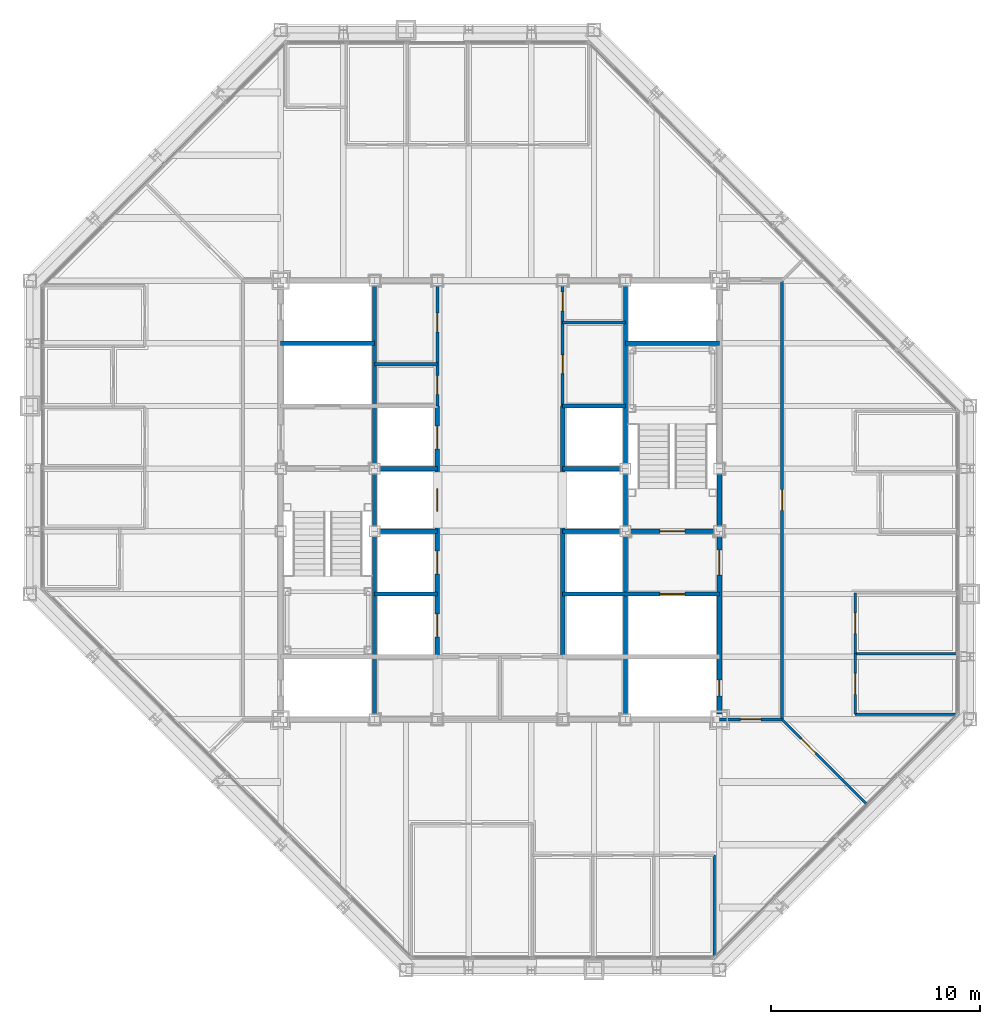
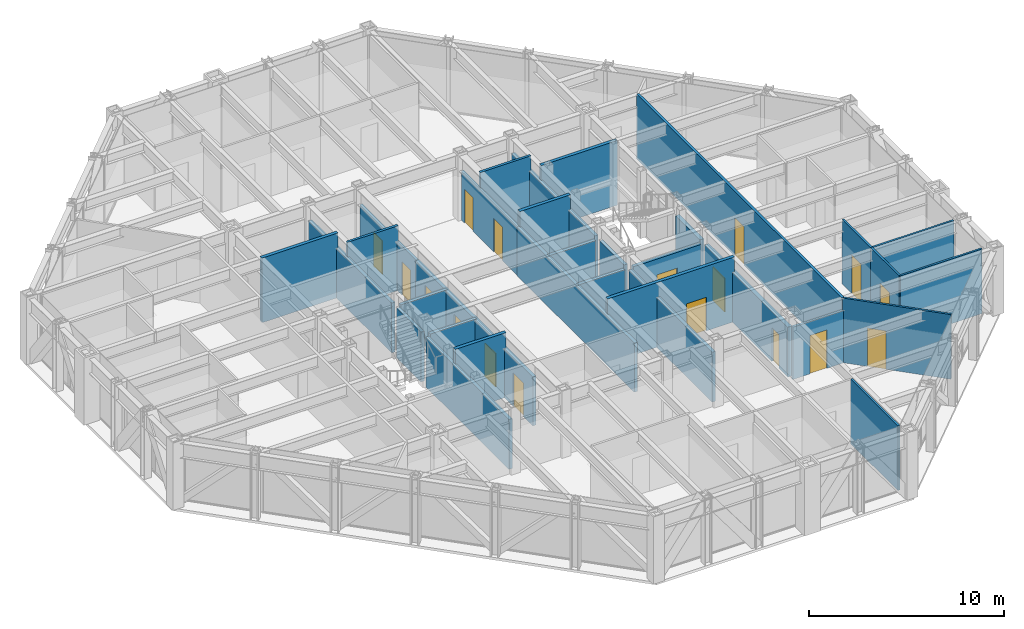
# One storey, part 12 of 16: 32 walls, 17 doors, 17 openings.
"""IFC4 building model written with IfcOpenShell, lengths in metres."""

from ifc_helpers import new_model, si_unit, direction, frame, frame_2d, origin, place, context, subcontext, project, spatial, rectangle, extrude, material, layer, layer_set, type_object, element, fill, save


model = new_model("IFC4")

# Units and contexts
model_context = context("Model", 3, precision=1e-05, world=origin(), true_north=direction((0.0, 1.0)))
body_context = subcontext(model_context, "Body", "Model", "MODEL_VIEW")
ifc_project = project(units=[si_unit("LENGTHUNIT", "METRE"), si_unit("AREAUNIT", "SQUARE_METRE"), si_unit("VOLUMEUNIT", "CUBIC_METRE"), si_unit("PLANEANGLEUNIT", "RADIAN"), si_unit("MASSUNIT", "GRAM", prefix="KILO")], contexts=[model_context])

# Site, building, storey
site_placement = place(None, origin())
site = spatial("IfcSite", under=ifc_project, at=site_placement, CompositionType="ELEMENT")
building_placement = place(site_placement, origin())
building = spatial("IfcBuilding", under=site, at=building_placement, Name="Chuquiago Exchange Tower", CompositionType="ELEMENT")
storey_placement = place(building_placement, frame((0.0, 0.0, 222.300048828125)))
storey = spatial("IfcBuildingStorey", under=building, at=storey_placement, Name="L49", CompositionType="ELEMENT", Elevation=222.300048828125)

# Wall, openings, doors
ifc_material_1 = material(Name="Concrete masonry, fully grouted", Category="masonry")
ifc_layer_1 = layer(ifc_material_1, 0.25)
ifc_layer_set_1 = layer_set([ifc_layer_1], Name="W1 core wall 250")
wall_type_1 = type_object("IfcWallType", Name="W1 core wall 250", PredefinedType="SOLIDWALL", material=ifc_layer_set_1)
wall_1_placement = place(storey_placement, frame((33.0, 12.25, 0.0), z_axis=(0.0, 0.0, 1.0), x_axis=(0.0, 1.0, 0.0)))
wall_1 = element("IfcWall", 1, at=wall_1_placement, inside=storey, type_object=wall_type_1, Name="CW-L49-25-0", PredefinedType="SOLIDWALL", context=body_context, shape_type="SweptSolid", body=[
    extrude(rectangle(XDim=8.5, YDim=0.25, at=frame_2d((4.25, 0.0))), origin(), (0.0, 0.0, 1.0), 3.11279296875),
])
opening_1_placement = place(wall_1_placement, frame((6.64990234375, 0.0, 0.0)))
opening_1 = element("IfcOpeningElement", 2, at=opening_1_placement, cuts=wall_1, Name="Opening L49-004", PredefinedType="OPENING", context=body_context, shape_type="SweptSolid", body=[
    extrude(rectangle(XDim=1.199951171875, YDim=2.10009765625, at=frame_2d((0.60009765625, 1.050048828125))), frame((0.0, 0.135009765625, 0.0), z_axis=(0.0, -1.0, 0.0), x_axis=(1.0, 0.0, 0.0)), (0.0, 0.0, 1.0), 0.27001953125),
])
opening_2_placement = place(wall_1_placement, frame((0.875, 0.0, 0.0)))
opening_2 = element("IfcOpeningElement", 3, at=opening_2_placement, cuts=wall_1, Name="Opening L49-009", PredefinedType="OPENING", context=body_context, shape_type="SweptSolid", body=[
    extrude(rectangle(XDim=0.75, YDim=2.10009765625, at=frame_2d((0.375, 1.050048828125))), frame((0.0, 0.135009765625, 0.0), z_axis=(0.0, -1.0, 0.0), x_axis=(1.0, 0.0, 0.0)), (0.0, 0.0, 1.0), 0.27001953125),
])
ifc_material_2 = material(Name="Steel door, painted", Category="steel")
door_type_1 = type_object("IfcDoorType", Name="D5 firefighting lobby door 1200x2100", OperationType="SINGLE_SWING_LEFT", PredefinedType="DOOR", material=ifc_material_2)
door_1_placement = place(opening_1_placement, origin())
door_1 = element("IfcDoor", 4, at=door_1_placement, inside=storey, type_object=door_type_1, Name="Firefighting lobby 2 door", OperationType="SINGLE_SWING_RIGHT", OverallHeight=2.10009765625, OverallWidth=1.199951171875, PredefinedType="DOOR", context=body_context, shape_type="SweptSolid", body=[
    extrude(rectangle(XDim=1.199951171875, YDim=2.10009765625, at=frame_2d((0.60009765625, 1.050048828125))), frame((0.0, 0.02490234375, 0.0), z_axis=(0.0, -1.0, 0.0), x_axis=(1.0, 0.0, 0.0)), (0.0, 0.0, 1.0), 0.050048828125),
])
fill(opening_1, door_1)
ifc_material_3 = material(Name="Steel door, painted", Category="steel")
door_type_2 = type_object("IfcDoorType", Name="D6 riser access door 750x2100", OperationType="SINGLE_SWING_LEFT", PredefinedType="DOOR", material=ifc_material_3)
door_2_placement = place(opening_2_placement, frame((0.75, 0.0, 0.0), z_axis=(0.0, 0.0, 1.0), x_axis=(-1.0, 0.0, 0.0)))
door_2 = element("IfcDoor", 5, at=door_2_placement, inside=storey, type_object=door_type_2, Name="Riser RE1 door", OperationType="SINGLE_SWING_RIGHT", OverallHeight=2.10009765625, OverallWidth=0.75, PredefinedType="DOOR", context=body_context, shape_type="SweptSolid", body=[
    extrude(rectangle(XDim=0.75, YDim=2.10009765625, at=frame_2d((0.375, 1.050048828125))), frame((0.0, 0.02490234375, 0.0), z_axis=(0.0, -1.0, 0.0), x_axis=(1.0, 0.0, 0.0)), (0.0, 0.0, 1.0), 0.050048828125),
])
fill(opening_2, door_2)

# Wall
wall_2_placement = place(storey_placement, frame((33.0, 21.25, 0.0), z_axis=(0.0, 0.0, 1.0), x_axis=(0.0, 1.0, 0.0)))
element("IfcWall", 6, at=wall_2_placement, inside=storey, type_object=wall_type_1, Name="CW-L49-25-1", PredefinedType="SOLIDWALL", context=body_context, shape_type="SweptSolid", body=[
    extrude(rectangle(XDim=2.5, YDim=0.25, at=frame_2d((1.25, 0.0))), origin(), (0.0, 0.0, 1.0), 3.11279296875),
])

# Wall, opening, door
ifc_material_4 = material(Name="Gypsum board on steel studs, acoustic insulation", Category="steel")
ifc_layer_2 = layer(ifc_material_4, 0.14990234375)
ifc_layer_set_2 = layer_set([ifc_layer_2], Name="W11 corridor wall 150")
wall_type_2 = type_object("IfcWallType", Name="W11 corridor wall 150", PredefinedType="PARTITIONING", material=ifc_layer_set_2)
wall_3_placement = place(storey_placement, frame((36.0, 12.0, 0.0), z_axis=(0.0, 0.0, 1.0), x_axis=(0.0, 1.0, 0.0)))
wall_3 = element("IfcWall", 7, at=wall_3_placement, inside=storey, type_object=wall_type_2, Name="PW-L49-GE0", PredefinedType="PARTITIONING", context=body_context, shape_type="SweptSolid", body=[
    extrude(rectangle(XDim=21.0, YDim=0.14990234375, at=frame_2d((10.5, 0.0))), origin(), (0.0, 0.0, 1.0), 4.0400390625),
])
opening_3_placement = place(wall_3_placement, frame((10.0, 0.0, 0.0)))
opening_3 = element("IfcOpeningElement", 8, at=opening_3_placement, cuts=wall_3, Name="Opening L49-039", PredefinedType="OPENING", context=body_context, shape_type="SweptSolid", body=[
    extrude(rectangle(XDim=1.0, YDim=2.39990234375, at=frame_2d((0.5, 1.199951171875))), frame((0.0, 0.0849609375, 0.0), z_axis=(0.0, -1.0, 0.0), x_axis=(1.0, 0.0, 0.0)), (0.0, 0.0, 1.0), 0.169921875),
])
ifc_material_5 = material(Name="Timber door, laminate faced", Category="wood")
door_type_3 = type_object("IfcDoorType", Name="D9 room door 1000x2400", OperationType="SINGLE_SWING_LEFT", PredefinedType="DOOR", material=ifc_material_5)
door_3_placement = place(opening_3_placement, frame((1.0, 0.0, 0.0), z_axis=(0.0, 0.0, 1.0), x_axis=(-1.0, 0.0, 0.0)))
door_3 = element("IfcDoor", 9, at=door_3_placement, inside=storey, type_object=door_type_3, Name="Team area door", OperationType="SINGLE_SWING_RIGHT", OverallHeight=2.39990234375, OverallWidth=1.0, PredefinedType="DOOR", context=body_context, shape_type="SweptSolid", body=[
    extrude(rectangle(XDim=1.0, YDim=2.39990234375, at=frame_2d((0.5, 1.199951171875))), frame((0.0, 0.02490234375, 0.0), z_axis=(0.0, -1.0, 0.0), x_axis=(1.0, 0.0, 0.0)), (0.0, 0.0, 1.0), 0.050048828125),
])
fill(opening_3, door_3)

wall_4_placement = place(storey_placement, frame((33.0, 12.0, 0.0), z_axis=(0.0, 0.0, 1.0), x_axis=(1.0, 0.0, 0.0)))
wall_4 = element("IfcWall", 10, at=wall_4_placement, inside=storey, type_object=wall_type_2, Name="PW-L49-GES0", PredefinedType="PARTITIONING", context=body_context, shape_type="SweptSolid", body=[
    extrude(rectangle(XDim=3.0, YDim=0.14990234375, at=frame_2d((1.5, 0.0))), origin(), (0.0, 0.0, 1.0), 3.270263671875),
])
opening_4_placement = place(wall_4_placement, frame((1.0, 0.0, 0.0)))
opening_4 = element("IfcOpeningElement", 11, at=opening_4_placement, cuts=wall_4, Name="Opening L49-041", PredefinedType="OPENING", context=body_context, shape_type="SweptSolid", body=[
    extrude(rectangle(XDim=1.0, YDim=2.39990234375, at=frame_2d((0.5, 1.199951171875))), frame((0.0, 0.0849609375, 0.0), z_axis=(0.0, -1.0, 0.0), x_axis=(1.0, 0.0, 0.0)), (0.0, 0.0, 1.0), 0.169921875),
])
door_4_placement = place(opening_4_placement, frame((1.0, 0.0, 0.0), z_axis=(0.0, 0.0, 1.0), x_axis=(-1.0, 0.0, 0.0)))
door_4 = element("IfcDoor", 12, at=door_4_placement, inside=storey, type_object=door_type_3, Name="Team area door", OperationType="SINGLE_SWING_RIGHT", OverallHeight=2.39990234375, OverallWidth=1.0, PredefinedType="DOOR", context=body_context, shape_type="SweptSolid", body=[
    extrude(rectangle(XDim=1.0, YDim=2.39990234375, at=frame_2d((0.5, 1.199951171875))), frame((0.0, 0.02490234375, 0.0), z_axis=(0.0, -1.0, 0.0), x_axis=(1.0, 0.0, 0.0)), (0.0, 0.0, 1.0), 0.050048828125),
])
fill(opening_4, door_4)

# Walls
ifc_material_6 = material(Name="Concrete masonry, fully grouted", Category="masonry")
ifc_layer_3 = layer(ifc_material_6, 0.199951171875)
ifc_layer_set_3 = layer_set([ifc_layer_3], Name="W2 shaft wall 200")
wall_type_3 = type_object("IfcWallType", Name="W2 shaft wall 200", PredefinedType="SOLIDWALL", material=ifc_layer_set_3)
for number, where, z_axis, x_axis, name in (
    (13, (16.75, 24.0, 0.0), (0.0, 0.0, 1.0), (1.0, 0.0, 0.0), "CW-L49-05-1"),
    (14, (25.5, 24.0, 0.0), (0.0, 0.0, 1.0), (1.0, 0.0, 0.0), "CW-L49-06-0"),
):
    element("IfcWall", number, at=place(storey_placement, frame(where, z_axis=z_axis, x_axis=x_axis)), inside=storey, type_object=wall_type_3, Name=name, PredefinedType="SOLIDWALL", context=body_context, shape_type="SweptSolid", body=[
        extrude(rectangle(XDim=2.75, YDim=0.199951171875, at=frame_2d((1.375, 0.0))), origin(), (0.0, 0.0, 1.0), 3.08984375),
    ])
wall_5_placement = place(storey_placement, frame((25.5, 27.0, 0.0), z_axis=(0.0, 0.0, 1.0), x_axis=(1.0, 0.0, 0.0)))
element("IfcWall", 15, at=wall_5_placement, inside=storey, type_object=wall_type_3, Name="CW-L49-08-0", PredefinedType="SOLIDWALL", context=body_context, shape_type="SweptSolid", body=[
    extrude(rectangle(XDim=3.0, YDim=0.199951171875, at=frame_2d((1.5, 0.0))), origin(), (0.0, 0.0, 1.0), 4.0400390625),
])
for number, where, z_axis, x_axis, name in (
    (16, (12.0, 30.0, 0.0), (0.0, 0.0, 1.0), (1.0, 0.0, 0.0), "CW-L49-09-0"),
    (17, (28.5, 30.0, 0.0), (0.0, 0.0, 1.0), (1.0, 0.0, 0.0), "CW-L49-10-0"),
):
    element("IfcWall", number, at=place(storey_placement, frame(where, z_axis=z_axis, x_axis=x_axis)), inside=storey, type_object=wall_type_3, Name=name, PredefinedType="SOLIDWALL", context=body_context, shape_type="SweptSolid", body=[
        extrude(rectangle(XDim=4.5, YDim=0.199951171875, at=frame_2d((2.25, 0.0))), origin(), (0.0, 0.0, 1.0), 4.0400390625),
    ])
wall_6_placement = place(storey_placement, frame((16.5, 12.25, 0.0), z_axis=(0.0, 0.0, 1.0), x_axis=(0.0, 1.0, 0.0)))
element("IfcWall", 18, at=wall_6_placement, inside=storey, type_object=wall_type_3, Name="CW-L49-13-0", PredefinedType="SOLIDWALL", context=body_context, shape_type="SweptSolid", body=[
    extrude(rectangle(XDim=8.5, YDim=0.199951171875, at=frame_2d((4.25, 0.0))), origin(), (0.0, 0.0, 1.0), 3.11279296875),
])
wall_7_placement = place(storey_placement, frame((16.5, 21.25, 0.0), z_axis=(0.0, 0.0, 1.0), x_axis=(0.0, 1.0, 0.0)))
element("IfcWall", 19, at=wall_7_placement, inside=storey, type_object=wall_type_3, Name="CW-L49-13-1", PredefinedType="SOLIDWALL", context=body_context, shape_type="SweptSolid", body=[
    extrude(rectangle(XDim=2.5, YDim=0.199951171875, at=frame_2d((1.25, 0.0))), origin(), (0.0, 0.0, 1.0), 3.11279296875),
])
wall_8_placement = place(storey_placement, frame((16.5, 24.25, 0.0), z_axis=(0.0, 0.0, 1.0), x_axis=(0.0, 1.0, 0.0)))
element("IfcWall", 20, at=wall_8_placement, inside=storey, type_object=wall_type_3, Name="CW-L49-13-2", PredefinedType="SOLIDWALL", context=body_context, shape_type="SweptSolid", body=[
    extrude(rectangle(XDim=8.5, YDim=0.199951171875, at=frame_2d((4.25, 0.0))), origin(), (0.0, 0.0, 1.0), 3.11279296875),
])
wall_9_placement = place(storey_placement, frame((16.5, 18.0, 0.0), z_axis=(0.0, 0.0, 1.0), x_axis=(1.0, 0.0, 0.0)))
element("IfcWall", 21, at=wall_9_placement, inside=storey, type_object=wall_type_3, Name="CW-L49-14-0", PredefinedType="SOLIDWALL", context=body_context, shape_type="SweptSolid", body=[
    extrude(rectangle(XDim=3.0, YDim=0.199951171875, at=frame_2d((1.5, 0.0))), origin(), (0.0, 0.0, 1.0), 4.0400390625),
])

# Wall, opening, door
wall_10_placement = place(storey_placement, frame((25.5, 18.0, 0.0), z_axis=(0.0, 0.0, 1.0), x_axis=(1.0, 0.0, 0.0)))
wall_10 = element("IfcWall", 22, at=wall_10_placement, inside=storey, type_object=wall_type_3, Name="CW-L49-15-0", PredefinedType="SOLIDWALL", context=body_context, shape_type="SweptSolid", body=[
    extrude(rectangle(XDim=7.5, YDim=0.199951171875, at=frame_2d((3.75, 0.0))), origin(), (0.0, 0.0, 1.0), 4.0400390625),
])
opening_5_placement = place(wall_10_placement, frame((4.64990234375, 0.0, 0.0)))
opening_5 = element("IfcOpeningElement", 23, at=opening_5_placement, cuts=wall_10, Name="Opening L49-006", PredefinedType="OPENING", context=body_context, shape_type="SweptSolid", body=[
    extrude(rectangle(XDim=1.199951171875, YDim=2.10009765625, at=frame_2d((0.60009765625, 1.050048828125))), frame((0.0, 0.10986328125, 0.0), z_axis=(0.0, -1.0, 0.0), x_axis=(1.0, 0.0, 0.0)), (0.0, 0.0, 1.0), 0.219970703125),
])
ifc_material_7 = material(Name="Stainless steel lift landing door", Category="steel")
door_type_4 = type_object("IfcDoorType", Name="LD2 firefighting lift landing door 1200x2100", OperationType="DOUBLE_DOOR_SLIDING", PredefinedType="DOOR", material=ifc_material_7)
door_5_placement = place(opening_5_placement, origin())
door_5 = element("IfcDoor", 24, at=door_5_placement, inside=storey, type_object=door_type_4, Name="Firefighting lift FL2 landing door", OperationType="DOUBLE_DOOR_SLIDING", OverallHeight=2.10009765625, OverallWidth=1.199951171875, PredefinedType="DOOR", context=body_context, shape_type="SweptSolid", body=[
    extrude(rectangle(XDim=1.199951171875, YDim=2.10009765625, at=frame_2d((0.60009765625, 1.050048828125))), frame((0.0, 0.02490234375, 0.0), z_axis=(0.0, -1.0, 0.0), x_axis=(1.0, 0.0, 0.0)), (0.0, 0.0, 1.0), 0.050048828125),
])
fill(opening_5, door_5)

# Walls
for number, where, z_axis, x_axis, name in (
    (25, (16.75, 21.0, 0.0), (0.0, 0.0, 1.0), (1.0, 0.0, 0.0), "CW-L49-16-0"),
    (26, (25.5, 21.0, 0.0), (0.0, 0.0, 1.0), (1.0, 0.0, 0.0), "CW-L49-17-0"),
):
    element("IfcWall", number, at=place(storey_placement, frame(where, z_axis=z_axis, x_axis=x_axis)), inside=storey, type_object=wall_type_3, Name=name, PredefinedType="SOLIDWALL", context=body_context, shape_type="SweptSolid", body=[
        extrude(rectangle(XDim=2.75, YDim=0.199951171875, at=frame_2d((1.375, 0.0))), origin(), (0.0, 0.0, 1.0), 3.08984375),
    ])

# Wall, opening, door
wall_11_placement = place(storey_placement, frame((28.75, 21.0, 0.0), z_axis=(0.0, 0.0, 1.0), x_axis=(1.0, 0.0, 0.0)))
wall_11 = element("IfcWall", 27, at=wall_11_placement, inside=storey, type_object=wall_type_3, Name="CW-L49-17-1", PredefinedType="SOLIDWALL", context=body_context, shape_type="SweptSolid", body=[
    extrude(rectangle(XDim=4.0, YDim=0.199951171875, at=frame_2d((2.0, 0.0))), origin(), (0.0, 0.0, 1.0), 3.08984375),
])
opening_6_placement = place(wall_11_placement, frame((1.39990234375, 0.0, 0.0)))
opening_6 = element("IfcOpeningElement", 28, at=opening_6_placement, cuts=wall_11, Name="Opening L49-003", PredefinedType="OPENING", context=body_context, shape_type="SweptSolid", body=[
    extrude(rectangle(XDim=1.199951171875, YDim=2.10009765625, at=frame_2d((0.60009765625, 1.050048828125))), frame((0.0, 0.10986328125, 0.0), z_axis=(0.0, -1.0, 0.0), x_axis=(1.0, 0.0, 0.0)), (0.0, 0.0, 1.0), 0.219970703125),
])
ifc_material_8 = material(Name="Steel door, painted", Category="steel")
door_type_5 = type_object("IfcDoorType", Name="D4 stair door 1200x2100", OperationType="SINGLE_SWING_LEFT", PredefinedType="DOOR", material=ifc_material_8)
door_6_placement = place(opening_6_placement, origin())
door_6 = element("IfcDoor", 29, at=door_6_placement, inside=storey, type_object=door_type_5, Name="Stair ST2 door", OperationType="SINGLE_SWING_LEFT", OverallHeight=2.10009765625, OverallWidth=1.199951171875, PredefinedType="DOOR", context=body_context, shape_type="SweptSolid", body=[
    extrude(rectangle(XDim=1.199951171875, YDim=2.10009765625, at=frame_2d((0.60009765625, 1.050048828125))), frame((0.0, 0.02490234375, 0.0), z_axis=(0.0, -1.0, 0.0), x_axis=(1.0, 0.0, 0.0)), (0.0, 0.0, 1.0), 0.050048828125),
])
fill(opening_6, door_6)

# Wall, openings, doors
wall_12_placement = place(storey_placement, frame((19.5, 15.0, 0.0), z_axis=(0.0, 0.0, 1.0), x_axis=(0.0, 1.0, 0.0)))
wall_12 = element("IfcWall", 30, at=wall_12_placement, inside=storey, type_object=wall_type_3, Name="CW-L49-19-0", PredefinedType="SOLIDWALL", context=body_context, shape_type="SweptSolid", body=[
    extrude(rectangle(XDim=12.0, YDim=0.199951171875, at=frame_2d((6.0, 0.0))), origin(), (0.0, 0.0, 1.0), 3.064453125),
])
opening_7_placement = place(wall_12_placement, frame((0.949951171875, 0.0, 0.0)))
opening_7 = element("IfcOpeningElement", 31, at=opening_7_placement, cuts=wall_12, Name="Opening L49-017", PredefinedType="OPENING", context=body_context, shape_type="SweptSolid", body=[
    extrude(rectangle(XDim=1.10009765625, YDim=2.10009765625, at=frame_2d((0.550048828125, 1.050048828125))), frame((0.0, 0.10986328125, 0.0), z_axis=(0.0, -1.0, 0.0), x_axis=(1.0, 0.0, 0.0)), (0.0, 0.0, 1.0), 0.219970703125),
])
opening_8_placement = place(wall_12_placement, frame((3.949951171875, 0.0, 0.0)))
opening_8 = element("IfcOpeningElement", 32, at=opening_8_placement, cuts=wall_12, Name="Opening L49-018", PredefinedType="OPENING", context=body_context, shape_type="SweptSolid", body=[
    extrude(rectangle(XDim=1.10009765625, YDim=2.10009765625, at=frame_2d((0.550048828125, 1.050048828125))), frame((0.0, 0.10986328125, 0.0), z_axis=(0.0, -1.0, 0.0), x_axis=(1.0, 0.0, 0.0)), (0.0, 0.0, 1.0), 0.219970703125),
])
opening_9_placement = place(wall_12_placement, frame((6.949951171875, 0.0, 0.0)))
opening_9 = element("IfcOpeningElement", 33, at=opening_9_placement, cuts=wall_12, Name="Opening L49-019", PredefinedType="OPENING", context=body_context, shape_type="SweptSolid", body=[
    extrude(rectangle(XDim=1.10009765625, YDim=2.10009765625, at=frame_2d((0.550048828125, 1.050048828125))), frame((0.0, 0.10986328125, 0.0), z_axis=(0.0, -1.0, 0.0), x_axis=(1.0, 0.0, 0.0)), (0.0, 0.0, 1.0), 0.219970703125),
])
opening_10_placement = place(wall_12_placement, frame((9.949951171875, 0.0, 0.0)))
opening_10 = element("IfcOpeningElement", 34, at=opening_10_placement, cuts=wall_12, Name="Opening L49-020", PredefinedType="OPENING", context=body_context, shape_type="SweptSolid", body=[
    extrude(rectangle(XDim=1.10009765625, YDim=2.10009765625, at=frame_2d((0.550048828125, 1.050048828125))), frame((0.0, 0.10986328125, 0.0), z_axis=(0.0, -1.0, 0.0), x_axis=(1.0, 0.0, 0.0)), (0.0, 0.0, 1.0), 0.219970703125),
])
ifc_material_9 = material(Name="Stainless steel lift landing door", Category="steel")
door_type_6 = type_object("IfcDoorType", Name="LD1 lift landing door 1100x2100", OperationType="DOUBLE_DOOR_SLIDING", PredefinedType="DOOR", material=ifc_material_9)
door_7_placement = place(opening_7_placement, origin())
door_7 = element("IfcDoor", 35, at=door_7_placement, inside=storey, type_object=door_type_6, Name="Lift LC1 landing door", OperationType="DOUBLE_DOOR_SLIDING", OverallHeight=2.10009765625, OverallWidth=1.10009765625, PredefinedType="DOOR", context=body_context, shape_type="SweptSolid", body=[
    extrude(rectangle(XDim=1.10009765625, YDim=2.10009765625, at=frame_2d((0.550048828125, 1.050048828125))), frame((0.0, 0.02490234375, 0.0), z_axis=(0.0, -1.0, 0.0), x_axis=(1.0, 0.0, 0.0)), (0.0, 0.0, 1.0), 0.050048828125),
])
fill(opening_7, door_7)
door_8_placement = place(opening_8_placement, origin())
door_8 = element("IfcDoor", 36, at=door_8_placement, inside=storey, type_object=door_type_6, Name="Lift LC2 landing door", OperationType="DOUBLE_DOOR_SLIDING", OverallHeight=2.10009765625, OverallWidth=1.10009765625, PredefinedType="DOOR", context=body_context, shape_type="SweptSolid", body=[
    extrude(rectangle(XDim=1.10009765625, YDim=2.10009765625, at=frame_2d((0.550048828125, 1.050048828125))), frame((0.0, 0.02490234375, 0.0), z_axis=(0.0, -1.0, 0.0), x_axis=(1.0, 0.0, 0.0)), (0.0, 0.0, 1.0), 0.050048828125),
])
fill(opening_8, door_8)
door_9_placement = place(opening_9_placement, origin())
door_9 = element("IfcDoor", 37, at=door_9_placement, inside=storey, type_object=door_type_6, Name="Lift LC3 landing door", OperationType="DOUBLE_DOOR_SLIDING", OverallHeight=2.10009765625, OverallWidth=1.10009765625, PredefinedType="DOOR", context=body_context, shape_type="SweptSolid", body=[
    extrude(rectangle(XDim=1.10009765625, YDim=2.10009765625, at=frame_2d((0.550048828125, 1.050048828125))), frame((0.0, 0.02490234375, 0.0), z_axis=(0.0, -1.0, 0.0), x_axis=(1.0, 0.0, 0.0)), (0.0, 0.0, 1.0), 0.050048828125),
])
fill(opening_9, door_9)
door_10_placement = place(opening_10_placement, origin())
door_10 = element("IfcDoor", 38, at=door_10_placement, inside=storey, type_object=door_type_6, Name="Lift LC4 landing door", OperationType="DOUBLE_DOOR_SLIDING", OverallHeight=2.10009765625, OverallWidth=1.10009765625, PredefinedType="DOOR", context=body_context, shape_type="SweptSolid", body=[
    extrude(rectangle(XDim=1.10009765625, YDim=2.10009765625, at=frame_2d((0.550048828125, 1.050048828125))), frame((0.0, 0.02490234375, 0.0), z_axis=(0.0, -1.0, 0.0), x_axis=(1.0, 0.0, 0.0)), (0.0, 0.0, 1.0), 0.050048828125),
])
fill(opening_10, door_10)

# Walls
wall_13_placement = place(storey_placement, frame((25.5, 15.0, 0.0), z_axis=(0.0, 0.0, 1.0), x_axis=(0.0, 1.0, 0.0)))
element("IfcWall", 39, at=wall_13_placement, inside=storey, type_object=wall_type_3, Name="CW-L49-22-0", PredefinedType="SOLIDWALL", context=body_context, shape_type="SweptSolid", body=[
    extrude(rectangle(XDim=12.0, YDim=0.199951171875, at=frame_2d((6.0, 0.0))), origin(), (0.0, 0.0, 1.0), 3.064453125),
])
wall_14_placement = place(storey_placement, frame((28.5, 12.25, 0.0), z_axis=(0.0, 0.0, 1.0), x_axis=(0.0, 1.0, 0.0)))
element("IfcWall", 40, at=wall_14_placement, inside=storey, type_object=wall_type_3, Name="CW-L49-24-0", PredefinedType="SOLIDWALL", context=body_context, shape_type="SweptSolid", body=[
    extrude(rectangle(XDim=8.5, YDim=0.199951171875, at=frame_2d((4.25, 0.0))), origin(), (0.0, 0.0, 1.0), 3.11279296875),
])
wall_15_placement = place(storey_placement, frame((28.5, 21.25, 0.0), z_axis=(0.0, 0.0, 1.0), x_axis=(0.0, 1.0, 0.0)))
element("IfcWall", 41, at=wall_15_placement, inside=storey, type_object=wall_type_3, Name="CW-L49-24-1", PredefinedType="SOLIDWALL", context=body_context, shape_type="SweptSolid", body=[
    extrude(rectangle(XDim=2.5, YDim=0.199951171875, at=frame_2d((1.25, 0.0))), origin(), (0.0, 0.0, 1.0), 3.11279296875),
])
wall_16_placement = place(storey_placement, frame((28.5, 24.25, 0.0), z_axis=(0.0, 0.0, 1.0), x_axis=(0.0, 1.0, 0.0)))
element("IfcWall", 42, at=wall_16_placement, inside=storey, type_object=wall_type_3, Name="CW-L49-24-2", PredefinedType="SOLIDWALL", context=body_context, shape_type="SweptSolid", body=[
    extrude(rectangle(XDim=8.5, YDim=0.199951171875, at=frame_2d((4.25, 0.0))), origin(), (0.0, 0.0, 1.0), 3.11279296875),
])

# Wall, openings, doors
ifc_material_10 = material(Name="Gypsum board on steel studs", Category="steel")
ifc_layer_4 = layer(ifc_material_10, 0.14990234375)
ifc_layer_set_4 = layer_set([ifc_layer_4], Name="W3 core partition 150")
wall_type_4 = type_object("IfcWallType", Name="W3 core partition 150", PredefinedType="PARTITIONING", material=ifc_layer_set_4)
wall_17_placement = place(storey_placement, frame((19.5, 27.0, 0.0), z_axis=(0.0, 0.0, 1.0), x_axis=(0.0, 1.0, 0.0)))
wall_17 = element("IfcWall", 43, at=wall_17_placement, inside=storey, type_object=wall_type_4, Name="CW-L49-20-0", PredefinedType="PARTITIONING", context=body_context, shape_type="SweptSolid", body=[
    extrude(rectangle(XDim=5.75, YDim=0.14990234375, at=frame_2d((2.875, 0.0))), origin(), (0.0, 0.0, 1.0), 3.064453125),
])
opening_11_placement = place(wall_17_placement, frame((0.550048828125, 0.0, 0.0)))
opening_11 = element("IfcOpeningElement", 44, at=opening_11_placement, cuts=wall_17, Name="Opening L49-011", PredefinedType="OPENING", context=body_context, shape_type="SweptSolid", body=[
    extrude(rectangle(XDim=0.89990234375, YDim=2.10009765625, at=frame_2d((0.449951171875, 1.050048828125))), frame((0.0, 0.0849609375, 0.0), z_axis=(0.0, -1.0, 0.0), x_axis=(1.0, 0.0, 0.0)), (0.0, 0.0, 1.0), 0.169921875),
])
opening_12_placement = place(wall_17_placement, frame((3.550048828125, 0.0, 0.0)))
opening_12 = element("IfcOpeningElement", 45, at=opening_12_placement, cuts=wall_17, Name="Opening L49-012", PredefinedType="OPENING", context=body_context, shape_type="SweptSolid", body=[
    extrude(rectangle(XDim=0.89990234375, YDim=2.10009765625, at=frame_2d((0.449951171875, 1.050048828125))), frame((0.0, 0.0849609375, 0.0), z_axis=(0.0, -1.0, 0.0), x_axis=(1.0, 0.0, 0.0)), (0.0, 0.0, 1.0), 0.169921875),
])
ifc_material_11 = material(Name="Timber door, laminate faced", Category="wood")
door_type_7 = type_object("IfcDoorType", Name="D16 core room door 900x2100", OperationType="SINGLE_SWING_LEFT", PredefinedType="DOOR", material=ifc_material_11)
door_11_placement = place(opening_11_placement, origin())
door_11 = element("IfcDoor", 46, at=door_11_placement, inside=storey, type_object=door_type_7, Name="First aid room door", OperationType="SINGLE_SWING_LEFT", OverallHeight=2.10009765625, OverallWidth=0.89990234375, PredefinedType="DOOR", context=body_context, shape_type="SweptSolid", body=[
    extrude(rectangle(XDim=0.89990234375, YDim=2.10009765625, at=frame_2d((0.449951171875, 1.050048828125))), frame((0.0, 0.02490234375, 0.0), z_axis=(0.0, -1.0, 0.0), x_axis=(1.0, 0.0, 0.0)), (0.0, 0.0, 1.0), 0.050048828125),
])
fill(opening_11, door_11)
ifc_material_12 = material(Name="Timber door, laminate faced", Category="wood")
door_type_8 = type_object("IfcDoorType", Name="D7 toilet door 900x2100", OperationType="SINGLE_SWING_LEFT", PredefinedType="DOOR", material=ifc_material_12)
door_12_placement = place(opening_12_placement, origin())
door_12 = element("IfcDoor", 47, at=door_12_placement, inside=storey, type_object=door_type_8, Name="Male WC door", OperationType="SINGLE_SWING_RIGHT", OverallHeight=2.10009765625, OverallWidth=0.89990234375, PredefinedType="DOOR", context=body_context, shape_type="SweptSolid", body=[
    extrude(rectangle(XDim=0.89990234375, YDim=2.10009765625, at=frame_2d((0.449951171875, 1.050048828125))), frame((0.0, 0.02490234375, 0.0), z_axis=(0.0, -1.0, 0.0), x_axis=(1.0, 0.0, 0.0)), (0.0, 0.0, 1.0), 0.050048828125),
])
fill(opening_12, door_12)

wall_18_placement = place(storey_placement, frame((25.5, 27.0, 0.0), z_axis=(0.0, 0.0, 1.0), x_axis=(0.0, 1.0, 0.0)))
wall_18 = element("IfcWall", 48, at=wall_18_placement, inside=storey, type_object=wall_type_4, Name="CW-L49-23-0", PredefinedType="PARTITIONING", context=body_context, shape_type="SweptSolid", body=[
    extrude(rectangle(XDim=5.75, YDim=0.14990234375, at=frame_2d((2.875, 0.0))), origin(), (0.0, 0.0, 1.0), 3.064453125),
])
opening_13_placement = place(wall_18_placement, frame((1.550048828125, 0.0, 0.0)))
opening_13 = element("IfcOpeningElement", 49, at=opening_13_placement, cuts=wall_18, Name="Opening L49-013", PredefinedType="OPENING", context=body_context, shape_type="SweptSolid", body=[
    extrude(rectangle(XDim=0.89990234375, YDim=2.10009765625, at=frame_2d((0.449951171875, 1.050048828125))), frame((0.0, 0.0849609375, 0.0), z_axis=(0.0, -1.0, 0.0), x_axis=(1.0, 0.0, 0.0)), (0.0, 0.0, 1.0), 0.169921875),
])
opening_14_placement = place(wall_18_placement, frame((4.550048828125, 0.0, 0.0)))
opening_14 = element("IfcOpeningElement", 50, at=opening_14_placement, cuts=wall_18, Name="Opening L49-014", PredefinedType="OPENING", context=body_context, shape_type="SweptSolid", body=[
    extrude(rectangle(XDim=0.89990234375, YDim=2.10009765625, at=frame_2d((0.449951171875, 1.050048828125))), frame((0.0, 0.0849609375, 0.0), z_axis=(0.0, -1.0, 0.0), x_axis=(1.0, 0.0, 0.0)), (0.0, 0.0, 1.0), 0.169921875),
])
door_13_placement = place(opening_14_placement, frame((0.89990234375, 0.0, 0.0), z_axis=(0.0, 0.0, 1.0), x_axis=(-1.0, 0.0, 0.0)))
door_13 = element("IfcDoor", 51, at=door_13_placement, inside=storey, type_object=door_type_7, Name="Staff shower room door", OperationType="SINGLE_SWING_LEFT", OverallHeight=2.10009765625, OverallWidth=0.89990234375, PredefinedType="DOOR", context=body_context, shape_type="SweptSolid", body=[
    extrude(rectangle(XDim=0.89990234375, YDim=2.10009765625, at=frame_2d((0.449951171875, 1.050048828125))), frame((0.0, 0.02490234375, 0.0), z_axis=(0.0, -1.0, 0.0), x_axis=(1.0, 0.0, 0.0)), (0.0, 0.0, 1.0), 0.050048828125),
])
fill(opening_14, door_13)
door_14_placement = place(opening_13_placement, frame((0.89990234375, 0.0, 0.0), z_axis=(0.0, 0.0, 1.0), x_axis=(-1.0, 0.0, 0.0)))
door_14 = element("IfcDoor", 52, at=door_14_placement, inside=storey, type_object=door_type_8, Name="Female WC door", OperationType="SINGLE_SWING_RIGHT", OverallHeight=2.10009765625, OverallWidth=0.89990234375, PredefinedType="DOOR", context=body_context, shape_type="SweptSolid", body=[
    extrude(rectangle(XDim=0.89990234375, YDim=2.10009765625, at=frame_2d((0.449951171875, 1.050048828125))), frame((0.0, 0.02490234375, 0.0), z_axis=(0.0, -1.0, 0.0), x_axis=(1.0, 0.0, 0.0)), (0.0, 0.0, 1.0), 0.050048828125),
])
fill(opening_13, door_14)

# Walls
for number, where, z_axis, x_axis, name in (
    (53, (16.5, 29.0, 0.0), (0.0, 0.0, 1.0), (1.0, 0.0, 0.0), "CW-L49-WCMS"),
    (54, (25.5, 31.0, 0.0), (0.0, 0.0, 1.0), (1.0, 0.0, 0.0), "CW-L49-WCFS"),
):
    element("IfcWall", number, at=place(storey_placement, frame(where, z_axis=z_axis, x_axis=x_axis)), inside=storey, type_object=wall_type_4, Name=name, PredefinedType="PARTITIONING", context=body_context, shape_type="SweptSolid", body=[
        extrude(rectangle(XDim=3.0, YDim=0.14990234375, at=frame_2d((1.5, 0.0))), origin(), (0.0, 0.0, 1.0), 4.0400390625),
    ])
ifc_material_13 = material(Name="Gypsum board on steel studs", Category="steel")
ifc_layer_5 = layer(ifc_material_13, 0.1201171875)
ifc_layer_set_5 = layer_set([ifc_layer_5], Name="W4 partition 120")
wall_type_5 = type_object("IfcWallType", Name="W4 partition 120", PredefinedType="PARTITIONING", material=ifc_layer_set_5)
for number, where, z_axis, x_axis, name in (
    (55, (32.75146484375, 0.666015625, 0.0), (0.0, 0.0, 1.0), (0.0, 1.0, 0.0), "PW-L49-S03275"),
    (56, (44.333984375, 12.24853515625, 0.0), (0.0, 0.0, 1.0), (-1.0, 0.0, 0.0), "PW-L49-E01225"),
):
    element("IfcWall", number, at=place(storey_placement, frame(where, z_axis=z_axis, x_axis=x_axis)), inside=storey, type_object=wall_type_5, Name=name, PredefinedType="PARTITIONING", context=body_context, shape_type="SweptSolid", body=[
        extrude(rectangle(XDim=4.833984375, YDim=0.1201171875, at=frame_2d((2.4169921875, 0.0))), origin(), (0.0, 0.0, 1.0), 4.0400390625),
    ])
wall_19_placement = place(storey_placement, frame((44.347412109375, 15.149169921875, 0.0), z_axis=(0.0, 0.0, 1.0), x_axis=(-1.0, 0.0, 0.0)))
element("IfcWall", 57, at=wall_19_placement, inside=storey, type_object=wall_type_5, Name="PW-L49-E01515", PredefinedType="PARTITIONING", context=body_context, shape_type="SweptSolid", body=[
    extrude(rectangle(XDim=4.847412109375, YDim=0.1201171875, at=frame_2d((2.423828125, 0.0))), origin(), (0.0, 0.0, 1.0), 4.0400390625),
])

# Wall, opening, door
wall_20_placement = place(storey_placement, frame((39.5, 12.24853515625, 0.0), z_axis=(0.0, 0.0, 1.0), x_axis=(0.0, 1.0, 0.0)))
wall_20 = element("IfcWall", 58, at=wall_20_placement, inside=storey, type_object=wall_type_5, Name="PW-L49-EF01225", PredefinedType="PARTITIONING", context=body_context, shape_type="SweptSolid", body=[
    extrude(rectangle(XDim=2.900634765625, YDim=0.1201171875, at=frame_2d((1.4501953125, 0.0))), origin(), (0.0, 0.0, 1.0), 4.0400390625),
])
opening_15_placement = place(wall_20_placement, frame((0.9501953125, 0.0, 0.0)))
opening_15 = element("IfcOpeningElement", 59, at=opening_15_placement, cuts=wall_20, Name="Opening L49-025", PredefinedType="OPENING", context=body_context, shape_type="SweptSolid", body=[
    extrude(rectangle(XDim=1.0, YDim=2.39990234375, at=frame_2d((0.5, 1.199951171875))), frame((0.0, 0.070068359375, 0.0), z_axis=(0.0, -1.0, 0.0), x_axis=(1.0, 0.0, 0.0)), (0.0, 0.0, 1.0), 0.14013671875),
])
door_15_placement = place(opening_15_placement, frame((1.0, 0.0, 0.0), z_axis=(0.0, 0.0, 1.0), x_axis=(-1.0, 0.0, 0.0)))
door_15 = element("IfcDoor", 60, at=door_15_placement, inside=storey, type_object=door_type_3, Name="Compliance office door", OperationType="SINGLE_SWING_RIGHT", OverallHeight=2.39990234375, OverallWidth=1.0, PredefinedType="DOOR", context=body_context, shape_type="SweptSolid", body=[
    extrude(rectangle(XDim=1.0, YDim=2.39990234375, at=frame_2d((0.5, 1.199951171875))), frame((0.0, 0.02490234375, 0.0), z_axis=(0.0, -1.0, 0.0), x_axis=(1.0, 0.0, 0.0)), (0.0, 0.0, 1.0), 0.050048828125),
])
fill(opening_15, door_15)

wall_21_placement = place(storey_placement, frame((39.5, 15.149169921875, 0.0), z_axis=(0.0, 0.0, 1.0), x_axis=(0.0, 1.0, 0.0)))
wall_21 = element("IfcWall", 61, at=wall_21_placement, inside=storey, type_object=wall_type_5, Name="PW-L49-EF01515", PredefinedType="PARTITIONING", context=body_context, shape_type="SweptSolid", body=[
    extrude(rectangle(XDim=2.900634765625, YDim=0.1201171875, at=frame_2d((1.4501953125, 0.0))), origin(), (0.0, 0.0, 1.0), 4.0400390625),
])
opening_16_placement = place(wall_21_placement, frame((0.9501953125, 0.0, 0.0)))
opening_16 = element("IfcOpeningElement", 62, at=opening_16_placement, cuts=wall_21, Name="Opening L49-026", PredefinedType="OPENING", context=body_context, shape_type="SweptSolid", body=[
    extrude(rectangle(XDim=1.0, YDim=2.39990234375, at=frame_2d((0.5, 1.199951171875))), frame((0.0, 0.070068359375, 0.0), z_axis=(0.0, -1.0, 0.0), x_axis=(1.0, 0.0, 0.0)), (0.0, 0.0, 1.0), 0.14013671875),
])
door_16_placement = place(opening_16_placement, frame((1.0, 0.0, 0.0), z_axis=(0.0, 0.0, 1.0), x_axis=(-1.0, 0.0, 0.0)))
door_16 = element("IfcDoor", 63, at=door_16_placement, inside=storey, type_object=door_type_3, Name="Compliance office door", OperationType="SINGLE_SWING_RIGHT", OverallHeight=2.39990234375, OverallWidth=1.0, PredefinedType="DOOR", context=body_context, shape_type="SweptSolid", body=[
    extrude(rectangle(XDim=1.0, YDim=2.39990234375, at=frame_2d((0.5, 1.199951171875))), frame((0.0, 0.02490234375, 0.0), z_axis=(0.0, -1.0, 0.0), x_axis=(1.0, 0.0, 0.0)), (0.0, 0.0, 1.0), 0.050048828125),
])
fill(opening_16, door_16)

wall_22_placement = place(storey_placement, frame((36.0, 12.0, 0.0), z_axis=(0.0, 0.0, 1.0), x_axis=(0.707106781187, -0.707106781187, 0.0)))
wall_22 = element("IfcWall", 64, at=wall_22_placement, inside=storey, type_object=wall_type_5, Name="PW-L49-QSE", PredefinedType="PARTITIONING", context=body_context, shape_type="SweptSolid", body=[
    extrude(rectangle(XDim=5.731689453125, YDim=0.1201171875, at=frame_2d((2.86572265625, 0.0))), origin(), (0.0, 0.0, 1.0), 4.0400390625),
])
opening_17_placement = place(wall_22_placement, frame((1.300048828125, 0.0, 0.0)))
opening_17 = element("IfcOpeningElement", 65, at=opening_17_placement, cuts=wall_22, Name="Opening L49-044", PredefinedType="OPENING", context=body_context, shape_type="SweptSolid", body=[
    extrude(rectangle(XDim=1.0, YDim=2.39990234375, at=frame_2d((0.5, 1.199951171875))), frame((0.0, 0.070068359375, 0.0), z_axis=(0.0, -1.0, 0.0), x_axis=(1.0, 0.0, 0.0)), (0.0, 0.0, 1.0), 0.14013671875),
])
door_17_placement = place(opening_17_placement, frame((1.0, 0.0, 0.0), z_axis=(0.0, 0.0, 1.0), x_axis=(-1.0, 0.0, 0.0)))
door_17 = element("IfcDoor", 66, at=door_17_placement, inside=storey, type_object=door_type_3, Name="Team area door", OperationType="SINGLE_SWING_RIGHT", OverallHeight=2.39990234375, OverallWidth=1.0, PredefinedType="DOOR", context=body_context, shape_type="SweptSolid", body=[
    extrude(rectangle(XDim=1.0, YDim=2.39990234375, at=frame_2d((0.5, 1.199951171875))), frame((0.0, 0.02490234375, 0.0), z_axis=(0.0, -1.0, 0.0), x_axis=(1.0, 0.0, 0.0)), (0.0, 0.0, 1.0), 0.050048828125),
])
fill(opening_17, door_17)

save(model, "model.ifc")
